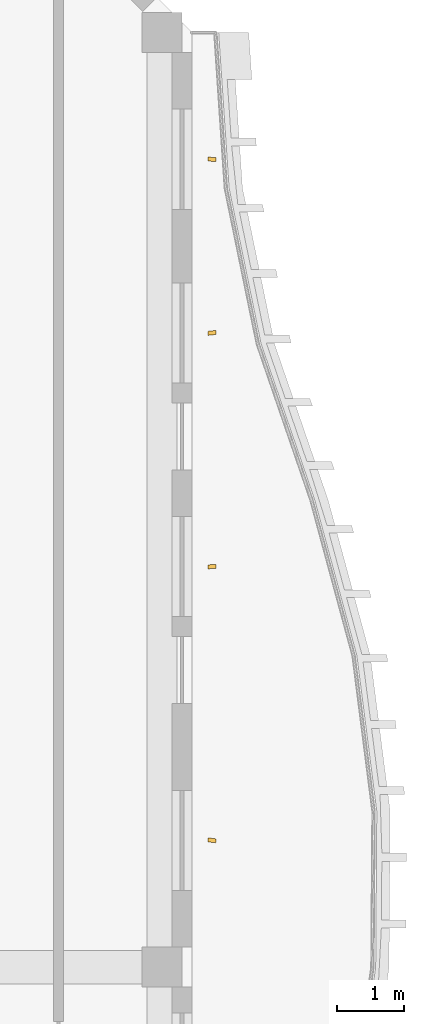
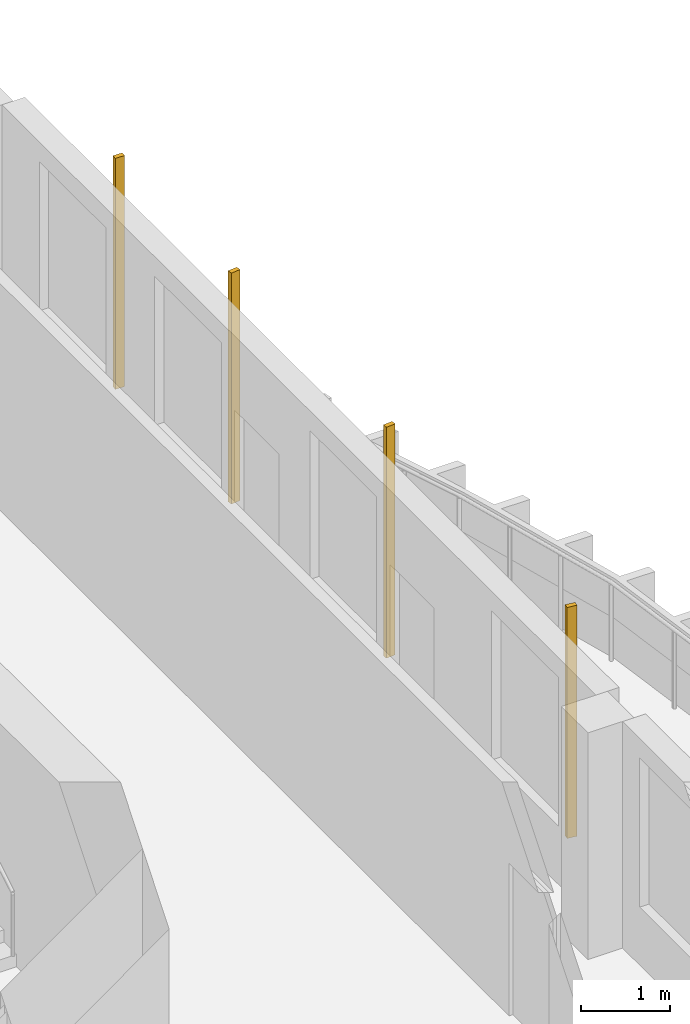
# One storey, part 17 of 17: 4 shading devices.
"""IFC4 building model written with IfcOpenShell, lengths in metres."""

import ifcopenshell
import ifcopenshell.guid

model = None  # the IFC model being written
_history = None  # IfcOwnerHistory: only IFC2X3 demands one
_inside = {}  # id of a spatial element -> (the spatial element, [elements in it])
_under = {}  # id of a project, library or spatial element -> (it, [spatial elements below it])
_declared = {}  # id of a project -> (the project, [libraries it declares])
_typed = {}  # id of a type object -> (the type object, [elements of that type])
_made_of = {}  # id of a material, layer set ... -> (it, [elements and type objects made of it])


def new_model(schema):
    """Start an empty IFC model of exactly this schema.

    Asked for "IFC4X3", IfcOpenShell would pick the latest addendum, in which some entities
    have other attributes; the version numbers below select the first issue.
    IFC2X3 requires an IfcOwnerHistory on every rooted entity: one is made here for all.
    """
    global model, _history
    if schema == "IFC4X3":
        model = ifcopenshell.file(schema_version=(4, 3, 0, 0))
    else:
        model = ifcopenshell.file(schema=schema)
    _inside.clear()
    _under.clear()
    _declared.clear()
    _typed.clear()
    _made_of.clear()
    _history = None
    if model.schema == "IFC2X3":
        org = make("IfcOrganization", Name="unknown")
        user = make(
            "IfcPersonAndOrganization",
            ThePerson=make("IfcPerson", FamilyName="unknown"),
            TheOrganization=org,
        )
        app = make(
            "IfcApplication",
            ApplicationDeveloper=org,
            Version="unknown",
            ApplicationFullName="unknown",
            ApplicationIdentifier="unknown",
        )
        _history = make(
            "IfcOwnerHistory",
            OwningUser=user,
            OwningApplication=app,
            ChangeAction="ADDED",
            CreationDate=0,
        )
    return model


def make(cls, **values):
    """One entity of the class cls with the attributes given. An attribute that is None is left unset."""
    return model.create_entity(
        cls, **{name: value for name, value in values.items() if value is not None}
    )


def rooted(cls, **values):
    """An entity with a GlobalId (a new one), such as an element, a storey or a relation."""
    return make(cls, GlobalId=ifcopenshell.guid.new(), OwnerHistory=_history, **values)


def si_unit(unit_type, name, prefix=None):
    """IfcSIUnit, for example si_unit("LENGTHUNIT", "METRE", prefix="MILLI")."""
    return make("IfcSIUnit", UnitType=unit_type, Prefix=prefix, Name=name)


def assignment(units):
    """IfcUnitAssignment: the units of a project."""
    return None if units is None else make("IfcUnitAssignment", Units=units)


def point(xyz):
    """IfcCartesianPoint."""
    return None if xyz is None else make("IfcCartesianPoint", Coordinates=xyz)


def direction(xyz):
    """IfcDirection."""
    return None if xyz is None else make("IfcDirection", DirectionRatios=xyz)


def frame(location, z_axis=None, x_axis=None):
    """IfcAxis2Placement3D, a coordinate frame: its origin and axes. An axis left out is left unset."""
    return make(
        "IfcAxis2Placement3D",
        Location=point(location),
        Axis=direction(z_axis),
        RefDirection=direction(x_axis),
    )


def frame_2d(location, x_axis=None):
    """IfcAxis2Placement2D, a coordinate frame in the plane: its origin and x axis."""
    return make(
        "IfcAxis2Placement2D", Location=point(location), RefDirection=direction(x_axis)
    )


def origin():
    """The frame at (0, 0, 0) with its axes left unset."""
    return frame((0.0, 0.0, 0.0))


def origin_2d():
    """The frame at (0, 0) in the plane with its x axis left unset."""
    return frame_2d((0.0, 0.0))


def place(relative_to, where):
    """IfcLocalPlacement: puts the frame where relative to a parent placement (None: the world)."""
    return make(
        "IfcLocalPlacement", PlacementRelTo=relative_to, RelativePlacement=where
    )


def context(
    kind, dimensions, precision=None, world=None, true_north=None, identifier=None
):
    """IfcGeometricRepresentationContext, for example the 3D "Model" context."""
    return make(
        "IfcGeometricRepresentationContext",
        ContextIdentifier=identifier,
        ContextType=kind,
        CoordinateSpaceDimension=dimensions,
        Precision=precision,
        WorldCoordinateSystem=world,
        TrueNorth=true_north,
    )


def subcontext(parent, identifier, kind, view, scale=None):
    """IfcGeometricRepresentationSubContext, for example "Body" below "Model"."""
    return make(
        "IfcGeometricRepresentationSubContext",
        ContextIdentifier=identifier,
        ContextType=kind,
        ParentContext=parent,
        TargetScale=scale,
        TargetView=view,
    )


def project(units=None, contexts=None):
    """IfcProject with its units and contexts."""
    return rooted(
        "IfcProject",
        Name="project",
        RepresentationContexts=contexts,
        UnitsInContext=assignment(units),
    )


def spatial(cls, under=None, at=None, **own):
    """A site, building, storey or space (cls), placed at a placement, below another one or the project."""
    s = rooted(cls, ObjectPlacement=at, **own)
    if under is not None:
        _under.setdefault(under.id(), (under, []))[1].append(s)
    return s


def profile(cls, at=None, kind="AREA", **sizes):
    """A parametric profile (cls). Its sizes go by their IFC names, for example OverallWidth=200.0."""
    return make(cls, ProfileType=kind, Position=at, **sizes)


def rectangle(**sizes):
    """IfcRectangleProfileDef."""
    return profile("IfcRectangleProfileDef", **sizes)


def extrude(swept, where, along, depth):
    """IfcExtrudedAreaSolid: the profile swept, set in the frame where, extruded along a direction by depth."""
    return make(
        "IfcExtrudedAreaSolid",
        SweptArea=swept,
        Position=where,
        ExtrudedDirection=direction(along),
        Depth=depth,
    )


def shape(context_of_items, identifier, shape_type, items):
    """IfcShapeRepresentation: the items that make up one representation, for example the "Body"."""
    return make(
        "IfcShapeRepresentation",
        ContextOfItems=context_of_items,
        RepresentationIdentifier=identifier,
        RepresentationType=shape_type,
        Items=items,
    )


def source(mapping_origin, context_of_items, identifier, shape_type, items):
    """IfcRepresentationMap: a shape defined once, which mapped items show again and again."""
    return make(
        "IfcRepresentationMap",
        MappingOrigin=mapping_origin,
        MappedRepresentation=shape(context_of_items, identifier, shape_type, items),
    )


def transform(
    local_origin,
    x_axis=None,
    y_axis=None,
    z_axis=None,
    scale=None,
    scale2=None,
    scale3=None,
    uniform=True,
):
    """IfcCartesianTransformationOperator3D, or its non-uniform kind. x_axis, y_axis, z_axis: its Axis1, 2, 3."""
    if uniform:
        return make(
            "IfcCartesianTransformationOperator3D",
            Axis1=direction(x_axis),
            Axis2=direction(y_axis),
            LocalOrigin=point(local_origin),
            Scale=scale,
            Axis3=direction(z_axis),
        )
    return make(
        "IfcCartesianTransformationOperator3DnonUniform",
        Axis1=direction(x_axis),
        Axis2=direction(y_axis),
        LocalOrigin=point(local_origin),
        Scale=scale,
        Axis3=direction(z_axis),
        Scale2=scale2,
        Scale3=scale3,
    )


def mapped(mapping_source, mapping_target):
    """IfcMappedItem: shows the shape of a source again, moved by a transform."""
    return make(
        "IfcMappedItem", MappingSource=mapping_source, MappingTarget=mapping_target
    )


def material(Name=None, Category=None):
    """IfcMaterial."""
    return make("IfcMaterial", Name=Name, Category=Category)


def material_profile(
    of_material, cross_section, Name=None, Category=None, Priority=None
):
    """IfcMaterialProfile: a cross section and its material."""
    return make(
        "IfcMaterialProfile",
        Name=Name,
        Material=of_material,
        Profile=cross_section,
        Priority=Priority,
        Category=Category,
    )


def profile_set(profiles, Name=None, composite=None):
    """IfcMaterialProfileSet."""
    return make(
        "IfcMaterialProfileSet",
        Name=Name,
        MaterialProfiles=profiles,
        CompositeProfile=composite,
    )


def made_of(thing, what):
    """Note that an element or type object is made of a material, layer set ...; save() writes the relation."""
    if what is not None:
        _made_of.setdefault(what.id(), (what, []))[1].append(thing)
    return thing


def type_object(cls, material=None, **own):
    """A type object (cls), such as IfcWallType, which elements share."""
    return made_of(rooted(cls, **own), material)


def element(
    cls,
    number,
    at=None,
    inside=None,
    cuts=None,
    type_object=None,
    material=None,
    context=None,
    identifier="Body",
    shape_type=None,
    held_by="IfcProductDefinitionShape",
    body=None,
    shapes=None,
    **own,
):
    """One element of the class cls, such as IfcWall. Its Tag is "e" and its number.

    at: its placement. inside: the storey or other place that contains it. cuts: it is an
    opening in that element (IfcRelVoidsElement). A single representation is given by context,
    identifier, shape_type and body (its items); several are given by shapes. held_by: the class
    of the entity that holds the representations. save() writes the other relations.
    """
    e = rooted(cls, Tag="e%d" % number, ObjectPlacement=at, **own)
    if body is not None:
        shapes = [shape(context, identifier, shape_type, body)]
    if shapes is not None:
        e.Representation = make(held_by, Representations=shapes)
    if inside is not None:
        _inside.setdefault(inside.id(), (inside, []))[1].append(e)
    if cuts is not None:
        rooted(
            "IfcRelVoidsElement", RelatingBuildingElement=cuts, RelatedOpeningElement=e
        )
    if type_object is not None:
        _typed.setdefault(type_object.id(), (type_object, []))[1].append(e)
    return made_of(e, material)


def aggregate(whole, parts):
    """IfcRelAggregates: a whole, such as a stair, and the parts it consists of."""
    return rooted("IfcRelAggregates", RelatingObject=whole, RelatedObjects=parts)


def save(model, path):
    """Write the relations noted so far, then the file.

    IfcRelAggregates (storeys below a building ...), IfcRelContainedInSpatialStructure (elements
    in a storey), IfcRelDefinesByType, IfcRelAssociatesMaterial and IfcRelDeclares: one each for
    every whole, place, type object, material and project.
    """
    for whole, parts in _under.values():
        aggregate(whole, parts)
    for where, things in _inside.values():
        rooted(
            "IfcRelContainedInSpatialStructure",
            RelatedElements=things,
            RelatingStructure=where,
        )
    for kind, things in _typed.values():
        rooted("IfcRelDefinesByType", RelatedObjects=things, RelatingType=kind)
    for what, things in _made_of.values():
        rooted("IfcRelAssociatesMaterial", RelatedObjects=things, RelatingMaterial=what)
    for by, libraries in _declared.values():
        rooted("IfcRelDeclares", RelatingContext=by, RelatedDefinitions=libraries)
    model.write(path)


model = new_model("IFC4")

# Units and contexts
model_context = context("Model", 3, precision=1e-05, world=origin(), true_north=direction((0.0, 1.0)))
body_context = subcontext(model_context, "Body", "Model", "MODEL_VIEW")
ifc_project = project(units=[si_unit("LENGTHUNIT", "METRE"), si_unit("AREAUNIT", "SQUARE_METRE"), si_unit("VOLUMEUNIT", "CUBIC_METRE"), si_unit("PLANEANGLEUNIT", "RADIAN"), si_unit("MASSUNIT", "GRAM", prefix="KILO")], contexts=[model_context])

# Site, building, storey
site_placement = place(None, origin())
site = spatial("IfcSite", under=ifc_project, at=site_placement, CompositionType="ELEMENT")
building_placement = place(site_placement, origin())
building = spatial("IfcBuilding", under=site, at=building_placement, Name="Kilnfold Tower and Market Hall", CompositionType="ELEMENT")
storey_placement = place(building_placement, frame((0.0, 0.0, 301.800048828125)))
storey = spatial("IfcBuildingStorey", under=building, at=storey_placement, Name="L75", CompositionType="ELEMENT", Elevation=301.800048828125)

# Shading devices
ifc_material = material(Name="Terracotta", Category="masonry")
ifc_material_profile = material_profile(ifc_material, rectangle(XDim=0.06005859375, YDim=0.1201171875, at=origin_2d()), Name="BAG 60x120")
ifc_profile_set = profile_set([ifc_material_profile], Name="Terracotta")
shading_device_type = type_object("IfcShadingDeviceType", Name="BAGUETTE", PredefinedType="USERDEFINED", material=ifc_profile_set)
shared_shape = source(origin(), body_context, "Body", "SweptSolid", [
    extrude(rectangle(XDim=0.06005859375, YDim=0.1201171875, at=origin_2d()), origin(), (0.0, 0.0, 1.0), 3.179931640625),
])
for number, where, z_axis, x_axis, name in (
    (1, (23.800048828125, 9.89990234375, 0.0), (0.0, 0.0, 1.0), (0.129370198096, 0.991596365385, 0.0), "Terracotta baguette L75 E"),
    (2, (23.800048828125, 14.0, 0.0), (0.0, 0.0, 1.0), (-0.084171768143, 0.996451259946, 0.0), "Terracotta baguette L75 E"),
    (3, (23.800048828125, 17.5, 0.0), (0.0, 0.0, 1.0), (-0.111097751665, 0.99380948354, 0.0), "Terracotta baguette L75 E"),
    (4, (23.800048828125, 20.10009765625, 0.0), (0.0, 0.0, 1.0), (0.033729070522, 0.999431013028, 0.0), "Terracotta baguette L75 E"),
):
    element("IfcShadingDevice", number, at=place(storey_placement, frame(where, z_axis=z_axis, x_axis=x_axis)), inside=storey, type_object=shading_device_type, Name=name, ObjectType="BAGUETTE", PredefinedType="USERDEFINED", context=body_context, shape_type="MappedRepresentation", body=[
        mapped(shared_shape, transform((0.0, 0.0, 0.0))),
    ])

save(model, "model.ifc")
